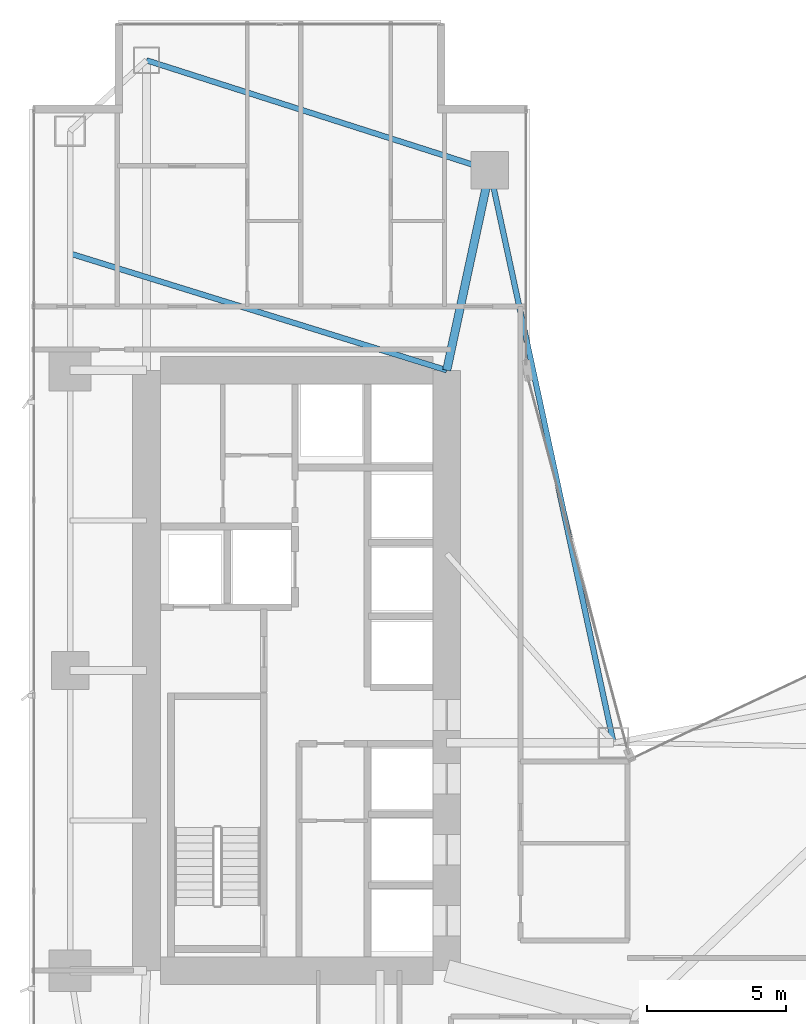
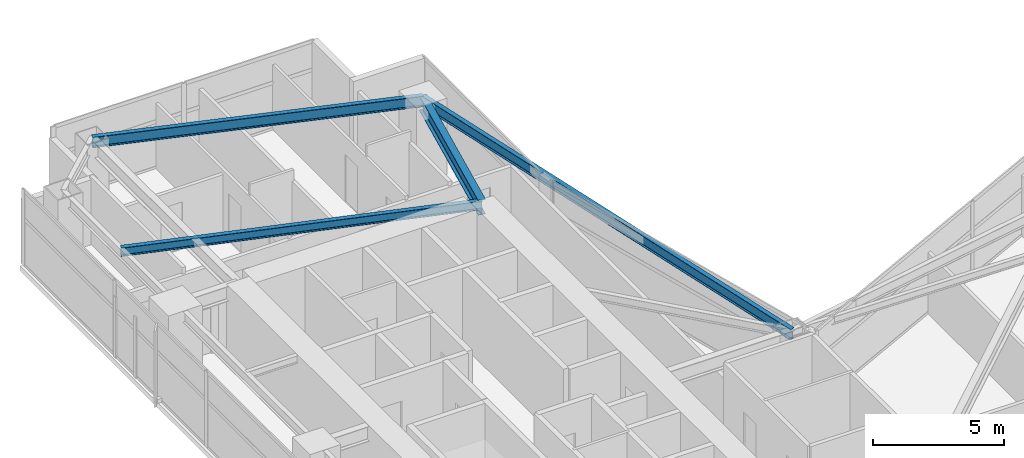
# One storey, part 17 of 30: 4 beams.
"""IFC4 building model written with IfcOpenShell, lengths in metres."""

from ifc_helpers import new_model, si_unit, direction, frame, origin, origin_2d, place, context, subcontext, project, spatial, i_section, extrude, material, material_profile, profile_set, type_object, element, save


model = new_model("IFC4")

# Units and contexts
model_context = context("Model", 3, precision=1e-05, world=origin(), true_north=direction((0.0, 1.0)))
body_context = subcontext(model_context, "Body", "Model", "MODEL_VIEW")
ifc_project = project(units=[si_unit("LENGTHUNIT", "METRE"), si_unit("AREAUNIT", "SQUARE_METRE"), si_unit("VOLUMEUNIT", "CUBIC_METRE"), si_unit("PLANEANGLEUNIT", "RADIAN"), si_unit("MASSUNIT", "GRAM", prefix="KILO")], contexts=[model_context])

# Site, building, storey
site_placement = place(None, origin())
site = spatial("IfcSite", under=ifc_project, at=site_placement, CompositionType="ELEMENT")
building_placement = place(site_placement, origin())
building = spatial("IfcBuilding", under=site, at=building_placement, Name="Calvorn Quay Hotel", CompositionType="ELEMENT")
storey_placement = place(building_placement, frame((0.0, 0.0, 50.800048828125)))
storey = spatial("IfcBuildingStorey", under=building, at=storey_placement, Name="L11", CompositionType="ELEMENT", Elevation=50.800048828125)

# Beams
ifc_material_1 = material(Name="Steel Q390GJC", Category="steel")
ifc_material_profile_1 = material_profile(ifc_material_1, i_section(OverallWidth=0.300048828125, OverallDepth=0.699951171875, WebThickness=0.012939453125, FlangeThickness=0.02392578125, FilletRadius=0.02392578125, at=origin_2d()), Name="HN700x300x13x24")
ifc_profile_set_1 = profile_set([ifc_material_profile_1], Name="Steel Q390GJC")
beam_type_1 = type_object("IfcBeamType", Name="BM-GIRD-MAIN", PredefinedType="BEAM", material=ifc_profile_set_1)
beam_1_placement = place(storey_placement, frame((16.550048828125, 45.60009765625, 3.18994140625), z_axis=(-0.210457140491, -0.97760308511, 0.0), x_axis=(0.97760308511, -0.210457140491, 0.0)))
element("IfcBeam", 1, at=beam_1_placement, inside=storey, type_object=beam_type_1, Name="Beam BG-L11-W6", PredefinedType="BEAM", context=body_context, shape_type="SweptSolid", body=[
    extrude(i_section(OverallWidth=0.300048828125, OverallDepth=0.699951171875, WebThickness=0.012939453125, FlangeThickness=0.02392578125, FilletRadius=0.02392578125, at=origin_2d()), origin(), (0.0, 0.0, 1.0), 7.365234375),
])
ifc_material_2 = material(Name="Steel Q355B", Category="steel")
ifc_material_profile_2 = material_profile(ifc_material_2, i_section(OverallWidth=0.199951171875, OverallDepth=0.39990234375, WebThickness=0.008056640625, FlangeThickness=0.012939453125, FilletRadius=0.01611328125, at=origin_2d()), Name="HN400x200x8x13")
ifc_profile_set_2 = profile_set([ifc_material_profile_2], Name="Steel Q355B")
beam_type_2 = type_object("IfcBeamType", Name="BM-JOIST-TYP", PredefinedType="JOIST", material=ifc_profile_set_2)
beam_2_placement = place(storey_placement, frame((1.449951171875, 42.60009765625, 3.33984375), z_axis=(0.955163702122, -0.296078202759, 0.0), x_axis=(0.296078202759, 0.955163702122, 0.0)))
element("IfcBeam", 2, at=beam_2_placement, inside=storey, type_object=beam_type_2, Name="Beam BJ-L11-W2", PredefinedType="JOIST", context=body_context, shape_type="SweptSolid", body=[
    extrude(i_section(OverallWidth=0.199951171875, OverallDepth=0.39990234375, WebThickness=0.008056640625, FlangeThickness=0.012939453125, FilletRadius=0.01611328125, at=origin_2d()), origin(), (0.0, 0.0, 1.0), 14.18603515625),
])
ifc_material_3 = material(Name="Steel Q355B", Category="steel")
ifc_material_profile_3 = material_profile(ifc_material_3, i_section(OverallWidth=0.199951171875, OverallDepth=0.5, WebThickness=0.010009765625, FlangeThickness=0.01611328125, FilletRadius=0.01611328125, at=origin_2d()), Name="HN500x200x10x16")
ifc_profile_set_3 = profile_set([ifc_material_profile_3], Name="Steel Q355B")
beam_type_3 = type_object("IfcBeamType", Name="BM-SPANDREL-Z1", PredefinedType="SPANDREL", material=ifc_profile_set_3)
beam_3_placement = place(storey_placement, frame((4.199951171875, 49.550048828125, 3.2900390625), z_axis=(0.952470702374, -0.304630203885, 0.0), x_axis=(0.304630203885, 0.952470702374, 0.0)))
element("IfcBeam", 3, at=beam_3_placement, inside=storey, type_object=beam_type_3, Name="Beam BSP-L11-W6", PredefinedType="SPANDREL", context=body_context, shape_type="SweptSolid", body=[
    extrude(i_section(OverallWidth=0.199951171875, OverallDepth=0.5, WebThickness=0.010009765625, FlangeThickness=0.01611328125, FilletRadius=0.01611328125, at=origin_2d()), origin(), (0.0, 0.0, 1.0), 12.96630859375),
])
beam_4_placement = place(storey_placement, frame((16.550048828125, 45.60009765625, 3.2900390625), z_axis=(0.211145848376, -0.977454567084, 0.0), x_axis=(0.977454567084, 0.211145848376, 0.0)))
element("IfcBeam", 4, at=beam_4_placement, inside=storey, type_object=beam_type_3, Name="Beam BSP-L11-W7", PredefinedType="SPANDREL", context=body_context, shape_type="SweptSolid", body=[
    extrude(i_section(OverallWidth=0.199951171875, OverallDepth=0.5, WebThickness=0.010009765625, FlangeThickness=0.01611328125, FilletRadius=0.01611328125, at=origin_2d()), origin(), (0.0, 0.0, 1.0), 21.0751953125),
])

save(model, "model.ifc")
